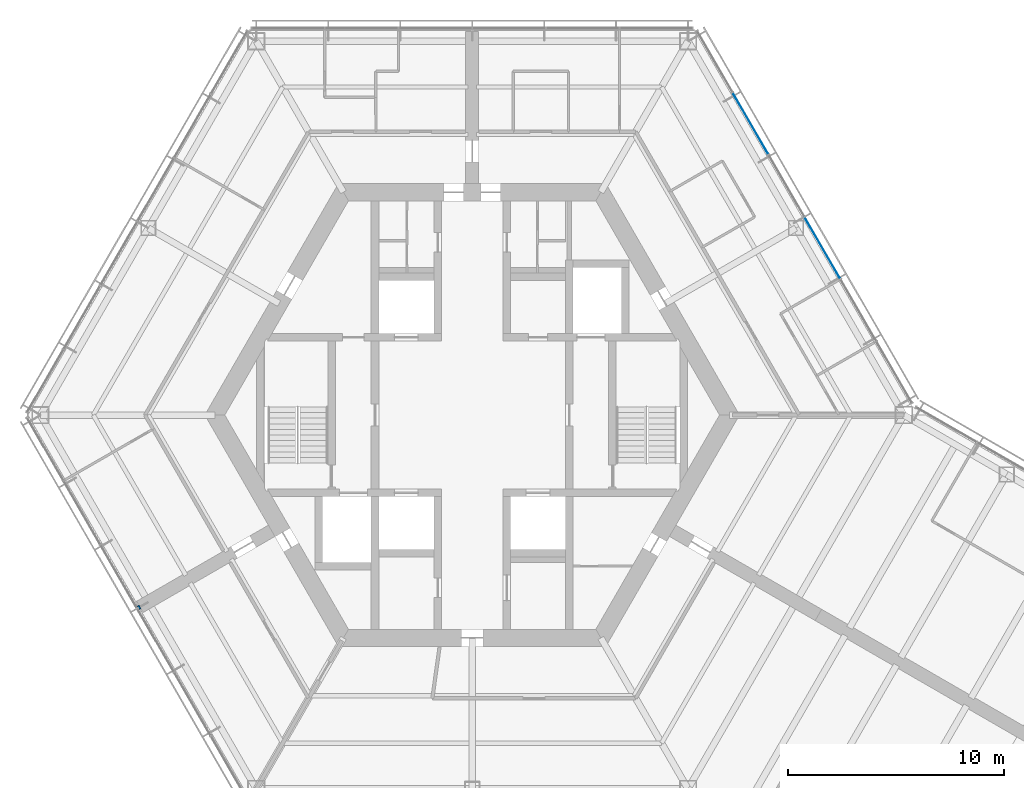
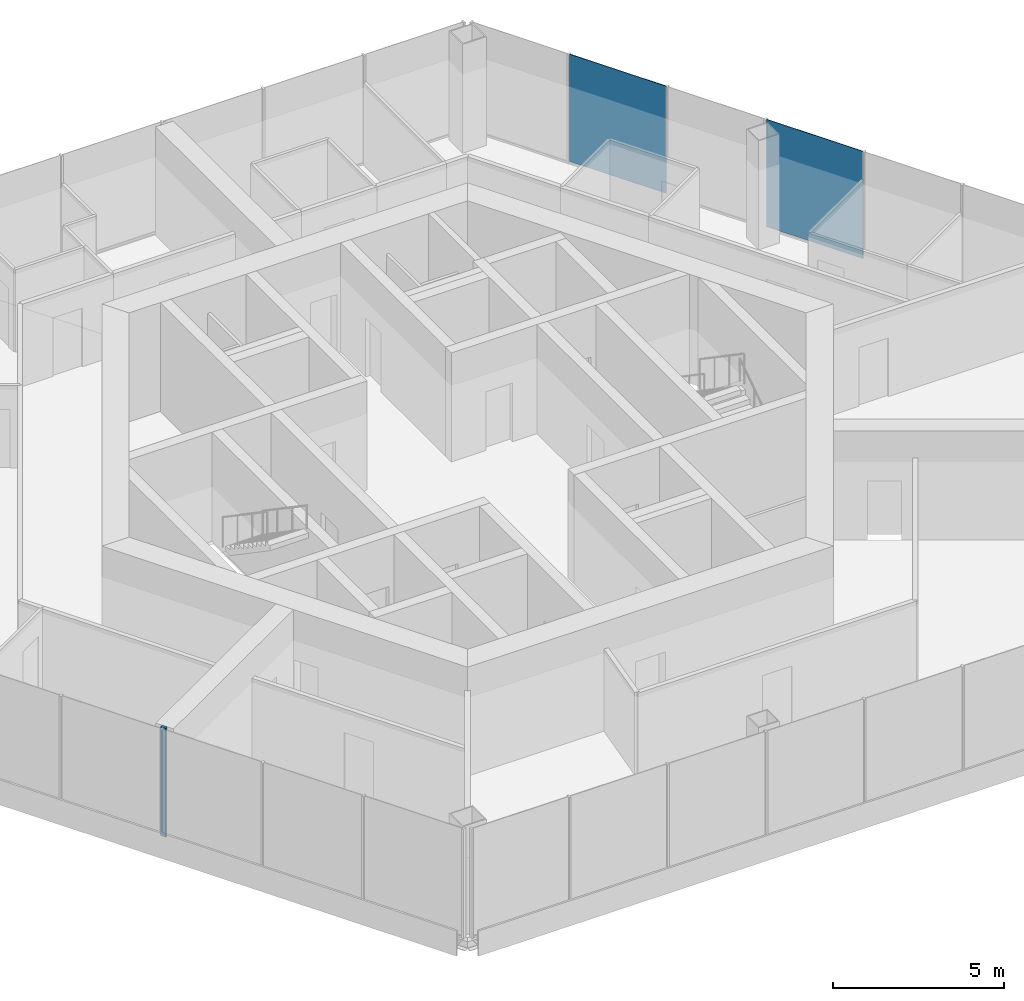
# One storey, part 9 of 15: 2 plates, 1 wall, 1 element without a shape of its own.
"""IFC4 building model written with IfcOpenShell, lengths in metres."""

import ifcopenshell
import ifcopenshell.guid

model = None  # the IFC model being written
_history = None  # IfcOwnerHistory: only IFC2X3 demands one
_inside = {}  # id of a spatial element -> (the spatial element, [elements in it])
_under = {}  # id of a project, library or spatial element -> (it, [spatial elements below it])
_declared = {}  # id of a project -> (the project, [libraries it declares])
_typed = {}  # id of a type object -> (the type object, [elements of that type])
_made_of = {}  # id of a material, layer set ... -> (it, [elements and type objects made of it])


def new_model(schema):
    """Start an empty IFC model of exactly this schema.

    Asked for "IFC4X3", IfcOpenShell would pick the latest addendum, in which some entities
    have other attributes; the version numbers below select the first issue.
    IFC2X3 requires an IfcOwnerHistory on every rooted entity: one is made here for all.
    """
    global model, _history
    if schema == "IFC4X3":
        model = ifcopenshell.file(schema_version=(4, 3, 0, 0))
    else:
        model = ifcopenshell.file(schema=schema)
    _inside.clear()
    _under.clear()
    _declared.clear()
    _typed.clear()
    _made_of.clear()
    _history = None
    if model.schema == "IFC2X3":
        org = make("IfcOrganization", Name="unknown")
        user = make(
            "IfcPersonAndOrganization",
            ThePerson=make("IfcPerson", FamilyName="unknown"),
            TheOrganization=org,
        )
        app = make(
            "IfcApplication",
            ApplicationDeveloper=org,
            Version="unknown",
            ApplicationFullName="unknown",
            ApplicationIdentifier="unknown",
        )
        _history = make(
            "IfcOwnerHistory",
            OwningUser=user,
            OwningApplication=app,
            ChangeAction="ADDED",
            CreationDate=0,
        )
    return model


def make(cls, **values):
    """One entity of the class cls with the attributes given. An attribute that is None is left unset."""
    return model.create_entity(
        cls, **{name: value for name, value in values.items() if value is not None}
    )


def rooted(cls, **values):
    """An entity with a GlobalId (a new one), such as an element, a storey or a relation."""
    return make(cls, GlobalId=ifcopenshell.guid.new(), OwnerHistory=_history, **values)


def si_unit(unit_type, name, prefix=None):
    """IfcSIUnit, for example si_unit("LENGTHUNIT", "METRE", prefix="MILLI")."""
    return make("IfcSIUnit", UnitType=unit_type, Prefix=prefix, Name=name)


def assignment(units):
    """IfcUnitAssignment: the units of a project."""
    return None if units is None else make("IfcUnitAssignment", Units=units)


def point(xyz):
    """IfcCartesianPoint."""
    return None if xyz is None else make("IfcCartesianPoint", Coordinates=xyz)


def direction(xyz):
    """IfcDirection."""
    return None if xyz is None else make("IfcDirection", DirectionRatios=xyz)


def frame(location, z_axis=None, x_axis=None):
    """IfcAxis2Placement3D, a coordinate frame: its origin and axes. An axis left out is left unset."""
    return make(
        "IfcAxis2Placement3D",
        Location=point(location),
        Axis=direction(z_axis),
        RefDirection=direction(x_axis),
    )


def frame_2d(location, x_axis=None):
    """IfcAxis2Placement2D, a coordinate frame in the plane: its origin and x axis."""
    return make(
        "IfcAxis2Placement2D", Location=point(location), RefDirection=direction(x_axis)
    )


def origin():
    """The frame at (0, 0, 0) with its axes left unset."""
    return frame((0.0, 0.0, 0.0))


def origin_2d():
    """The frame at (0, 0) in the plane with its x axis left unset."""
    return frame_2d((0.0, 0.0))


def place(relative_to, where):
    """IfcLocalPlacement: puts the frame where relative to a parent placement (None: the world)."""
    return make(
        "IfcLocalPlacement", PlacementRelTo=relative_to, RelativePlacement=where
    )


def context(
    kind, dimensions, precision=None, world=None, true_north=None, identifier=None
):
    """IfcGeometricRepresentationContext, for example the 3D "Model" context."""
    return make(
        "IfcGeometricRepresentationContext",
        ContextIdentifier=identifier,
        ContextType=kind,
        CoordinateSpaceDimension=dimensions,
        Precision=precision,
        WorldCoordinateSystem=world,
        TrueNorth=true_north,
    )


def subcontext(parent, identifier, kind, view, scale=None):
    """IfcGeometricRepresentationSubContext, for example "Body" below "Model"."""
    return make(
        "IfcGeometricRepresentationSubContext",
        ContextIdentifier=identifier,
        ContextType=kind,
        ParentContext=parent,
        TargetScale=scale,
        TargetView=view,
    )


def project(units=None, contexts=None):
    """IfcProject with its units and contexts."""
    return rooted(
        "IfcProject",
        Name="project",
        RepresentationContexts=contexts,
        UnitsInContext=assignment(units),
    )


def spatial(cls, under=None, at=None, **own):
    """A site, building, storey or space (cls), placed at a placement, below another one or the project."""
    s = rooted(cls, ObjectPlacement=at, **own)
    if under is not None:
        _under.setdefault(under.id(), (under, []))[1].append(s)
    return s


def profile(cls, at=None, kind="AREA", **sizes):
    """A parametric profile (cls). Its sizes go by their IFC names, for example OverallWidth=200.0."""
    return make(cls, ProfileType=kind, Position=at, **sizes)


def rectangle(**sizes):
    """IfcRectangleProfileDef."""
    return profile("IfcRectangleProfileDef", **sizes)


def extrude(swept, where, along, depth):
    """IfcExtrudedAreaSolid: the profile swept, set in the frame where, extruded along a direction by depth."""
    return make(
        "IfcExtrudedAreaSolid",
        SweptArea=swept,
        Position=where,
        ExtrudedDirection=direction(along),
        Depth=depth,
    )


def shape(context_of_items, identifier, shape_type, items):
    """IfcShapeRepresentation: the items that make up one representation, for example the "Body"."""
    return make(
        "IfcShapeRepresentation",
        ContextOfItems=context_of_items,
        RepresentationIdentifier=identifier,
        RepresentationType=shape_type,
        Items=items,
    )


def material(Name=None, Category=None):
    """IfcMaterial."""
    return make("IfcMaterial", Name=Name, Category=Category)


def layer(
    of_material, thickness, ventilated=None, Name=None, Category=None, Priority=None
):
    """IfcMaterialLayer: one layer of a wall or slab, of a material (None: an air gap)."""
    return make(
        "IfcMaterialLayer",
        Material=of_material,
        LayerThickness=thickness,
        IsVentilated=ventilated,
        Name=Name,
        Category=Category,
        Priority=Priority,
    )


def layer_set(layers, Name=None):
    """IfcMaterialLayerSet."""
    return make("IfcMaterialLayerSet", MaterialLayers=layers, LayerSetName=Name)


def made_of(thing, what):
    """Note that an element or type object is made of a material, layer set ...; save() writes the relation."""
    if what is not None:
        _made_of.setdefault(what.id(), (what, []))[1].append(thing)
    return thing


def type_object(cls, material=None, **own):
    """A type object (cls), such as IfcWallType, which elements share."""
    return made_of(rooted(cls, **own), material)


def element(
    cls,
    number,
    at=None,
    inside=None,
    cuts=None,
    type_object=None,
    material=None,
    context=None,
    identifier="Body",
    shape_type=None,
    held_by="IfcProductDefinitionShape",
    body=None,
    shapes=None,
    **own,
):
    """One element of the class cls, such as IfcWall. Its Tag is "e" and its number.

    at: its placement. inside: the storey or other place that contains it. cuts: it is an
    opening in that element (IfcRelVoidsElement). A single representation is given by context,
    identifier, shape_type and body (its items); several are given by shapes. held_by: the class
    of the entity that holds the representations. save() writes the other relations.
    """
    e = rooted(cls, Tag="e%d" % number, ObjectPlacement=at, **own)
    if body is not None:
        shapes = [shape(context, identifier, shape_type, body)]
    if shapes is not None:
        e.Representation = make(held_by, Representations=shapes)
    if inside is not None:
        _inside.setdefault(inside.id(), (inside, []))[1].append(e)
    if cuts is not None:
        rooted(
            "IfcRelVoidsElement", RelatingBuildingElement=cuts, RelatedOpeningElement=e
        )
    if type_object is not None:
        _typed.setdefault(type_object.id(), (type_object, []))[1].append(e)
    return made_of(e, material)


def aggregate(whole, parts):
    """IfcRelAggregates: a whole, such as a stair, and the parts it consists of."""
    return rooted("IfcRelAggregates", RelatingObject=whole, RelatedObjects=parts)


def save(model, path):
    """Write the relations noted so far, then the file.

    IfcRelAggregates (storeys below a building ...), IfcRelContainedInSpatialStructure (elements
    in a storey), IfcRelDefinesByType, IfcRelAssociatesMaterial and IfcRelDeclares: one each for
    every whole, place, type object, material and project.
    """
    for whole, parts in _under.values():
        aggregate(whole, parts)
    for where, things in _inside.values():
        rooted(
            "IfcRelContainedInSpatialStructure",
            RelatedElements=things,
            RelatingStructure=where,
        )
    for kind, things in _typed.values():
        rooted("IfcRelDefinesByType", RelatedObjects=things, RelatingType=kind)
    for what, things in _made_of.values():
        rooted("IfcRelAssociatesMaterial", RelatedObjects=things, RelatingMaterial=what)
    for by, libraries in _declared.values():
        rooted("IfcRelDeclares", RelatingContext=by, RelatedDefinitions=libraries)
    model.write(path)


model = new_model("IFC4")

# Units and contexts
model_context = context("Model", 3, precision=1e-05, world=origin(), true_north=direction((0.0, 1.0)))
body_context = subcontext(model_context, "Body", "Model", "MODEL_VIEW")
ifc_project = project(units=[si_unit("LENGTHUNIT", "METRE"), si_unit("AREAUNIT", "SQUARE_METRE"), si_unit("VOLUMEUNIT", "CUBIC_METRE"), si_unit("PLANEANGLEUNIT", "RADIAN"), si_unit("MASSUNIT", "GRAM", prefix="KILO")], contexts=[model_context])

# Site, building, storey
site_placement = place(None, origin())
site = spatial("IfcSite", under=ifc_project, at=site_placement, CompositionType="ELEMENT")
building_placement = place(site_placement, origin())
building = spatial("IfcBuilding", under=site, at=building_placement, Name="Kasaneha Research Tower", CompositionType="ELEMENT")
storey_placement = place(building_placement, frame((0.0, 0.0, 220.60009765625)))
storey = spatial("IfcBuildingStorey", under=building, at=storey_placement, Name="L55", CompositionType="ELEMENT", Elevation=220.60009765625)

# Curtain wall, plates
ifc_material_1 = material(Name="Glass and aluminium", Category="aluminium")
curtain_wall_type = type_object("IfcCurtainWallType", Name="High-rise office curtain wall", PredefinedType="USERDEFINED", material=ifc_material_1)
curtain_wall_placement = place(storey_placement, origin())
curtain_wall = element("IfcCurtainWall", 1, at=curtain_wall_placement, inside=storey, type_object=curtain_wall_type, Name="CW-O3 L55 run 01a", ObjectType="UNITISED CURTAIN WALL", PredefinedType="USERDEFINED")
ifc_material_2 = material(Name="Laminated double glazing", Category="glass")
ifc_layer_1 = layer(ifc_material_2, 0.02392578125)
ifc_layer_set_1 = layer_set([ifc_layer_1], Name="CW-O3 glazed panel")
plate_type = type_object("IfcPlateType", Name="CW-O3 glazed panel", PredefinedType="CURTAIN_PANEL", material=ifc_layer_set_1)
plate_1_placement = place(storey_placement, frame((16.2255859375, 7.737548828125, 0.06005859375), z_axis=(0.0, 0.0, 1.0), x_axis=(-0.499999979232, 0.866025415775, 0.0)))
plate_1 = element("IfcPlate", 2, at=plate_1_placement, type_object=plate_type, Name="CW-O3 panel 3", PredefinedType="CURTAIN_PANEL", context=body_context, shape_type="SweptSolid", body=[
    extrude(rectangle(XDim=3.27099609375, YDim=0.02392578125, at=origin_2d()), origin(), (0.0, 0.0, 1.0), 3.840087890625),
])
plate_2_placement = place(storey_placement, frame((12.89453125, 13.5068359375, 0.06005859375), z_axis=(0.0, 0.0, 1.0), x_axis=(-0.499999979232, 0.866025415775, 0.0)))
plate_2 = element("IfcPlate", 3, at=plate_2_placement, type_object=plate_type, Name="CW-O3 panel 5", PredefinedType="CURTAIN_PANEL", context=body_context, shape_type="SweptSolid", body=[
    extrude(rectangle(XDim=3.27099609375, YDim=0.02392578125, at=origin_2d()), origin(), (0.0, 0.0, 1.0), 3.840087890625),
])
aggregate(curtain_wall, [plate_1, plate_2])

# Wall
ifc_material_3 = material(Name="Gypsum board on steel studs, two layers each side", Category="steel")
ifc_layer_2 = layer(ifc_material_3, 0.175048828125)
ifc_layer_set_2 = layer_set([ifc_layer_2], Name="Tenancy fire partition 175")
wall_type = type_object("IfcWallType", Name="Tenancy fire partition 175", PredefinedType="PARTITIONING", material=ifc_layer_set_2)
wall_placement = place(storey_placement, frame((-15.3896484375, -8.88525390625, 0.0), z_axis=(0.0, 0.0, 1.0), x_axis=(-0.866472036435, -0.499225610396, 0.0)))
element("IfcWall", 4, at=wall_placement, inside=storey, type_object=wall_type, Name="Spine wall closer SW4-600 L55", PredefinedType="PARTITIONING", context=body_context, shape_type="SweptSolid", body=[
    extrude(rectangle(XDim=0.085205078125, YDim=0.175048828125, at=frame_2d((0.04248046875, 0.0))), origin(), (0.0, 0.0, 1.0), 3.89990234375),
])

save(model, "model.ifc")
